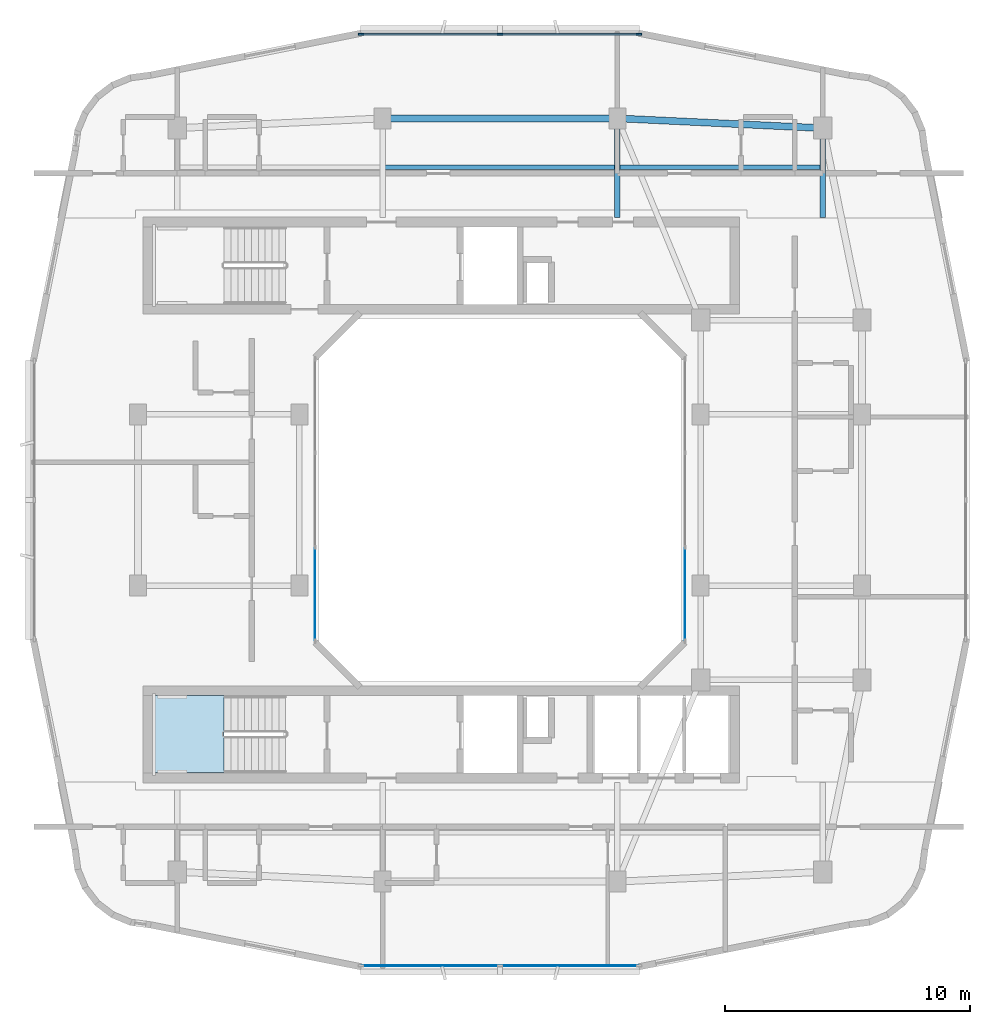
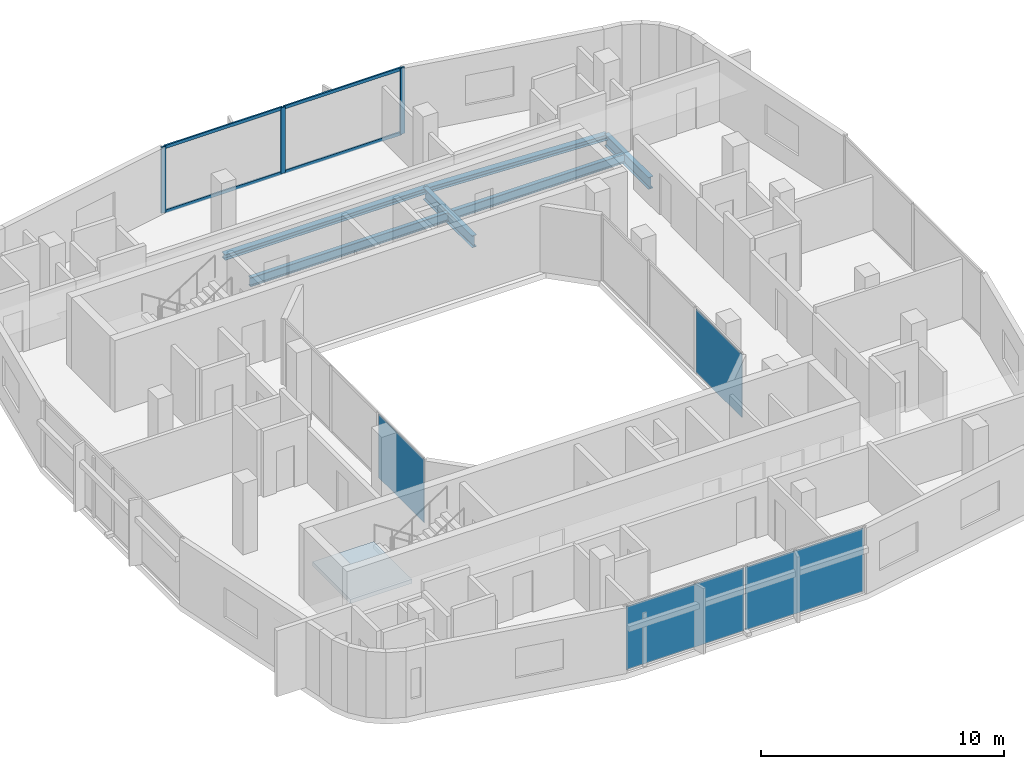
# One storey, part 5 of 14: 7 members, 6 beams, 4 plates, 1 slab, 5 elements without a shape of their own.
"""IFC4 building model written with IfcOpenShell, lengths in metres."""

from ifc_helpers import new_model, si_unit, derived_unit, direction, frame, origin, origin_2d, place, context, subcontext, project, spatial, polyline, rectangle, i_section, outline, extrude, material, layer, layer_set, material_profile, profile_set, type_object, element, aggregate, save


model = new_model("IFC4")

# Units and contexts
model_context = context("Model", 3, precision=1e-05, world=origin(), true_north=direction((0.0, 1.0)))
body_context = subcontext(model_context, "Body", "Model", "MODEL_VIEW")
ifc_project = project(units=[si_unit("LENGTHUNIT", "METRE"), si_unit("AREAUNIT", "SQUARE_METRE"), si_unit("VOLUMEUNIT", "CUBIC_METRE"), si_unit("PLANEANGLEUNIT", "RADIAN"), si_unit("MASSUNIT", "GRAM", prefix="KILO"), derived_unit("THERMALTRANSMITTANCEUNIT", [(si_unit("POWERUNIT", "WATT"), 1), (si_unit("LENGTHUNIT", "METRE"), -2), (si_unit("THERMODYNAMICTEMPERATUREUNIT", "KELVIN"), -1)])], contexts=[model_context])

# Site, building, storey
site_placement = place(None, origin())
site = spatial("IfcSite", under=ifc_project, at=site_placement, CompositionType="ELEMENT")
building_placement = place(site_placement, origin())
building = spatial("IfcBuilding", under=site, at=building_placement, Name="Kivonza Crest Hotel", CompositionType="ELEMENT")
storey_placement = place(building_placement, frame((0.0, 0.0, 206.300048828125)))
storey = spatial("IfcBuildingStorey", under=building, at=storey_placement, Name="L56", CompositionType="ELEMENT", Elevation=206.300048828125)

# Beams
ifc_material_1 = material(Name="Steel S355", Category="steel")
ifc_material_profile_1 = material_profile(ifc_material_1, i_section(OverallWidth=0.280029296875, OverallDepth=0.280029296875, WebThickness=0.010498046875, FlangeThickness=0.01806640625, FilletRadius=0.02392578125, at=origin_2d()), Name="HEB 280")
ifc_profile_set_1 = profile_set([ifc_material_profile_1], Name="Steel S355")
beam_type_1 = type_object("IfcBeamType", Name="BM-HEB280", PredefinedType="SPANDREL", material=ifc_profile_set_1)
beam_1_placement = place(storey_placement, frame((34.199951171875, 40.199951171875, -0.420166015625), z_axis=(-0.998867283688, 0.047583080799, 0.0), x_axis=(-0.047583080799, -0.998867283688, 0.0)))
element("IfcBeam", 1, at=beam_1_placement, inside=storey, type_object=beam_type_1, Name="Tower T1 L56 perimeter spandrel NE-N2", PredefinedType="SPANDREL", context=body_context, shape_type="SweptSolid", body=[
    extrude(i_section(OverallWidth=0.280029296875, OverallDepth=0.280029296875, WebThickness=0.010498046875, FlangeThickness=0.01806640625, FilletRadius=0.02392578125, at=origin_2d()), origin(), (0.0, 0.0, 1.0), 8.409423828125),
])
beam_2_placement = place(storey_placement, frame((25.800048828125, 40.60009765625, -0.420166015625), z_axis=(-1.0, 0.0, 0.0), x_axis=(0.0, -1.0, 0.0)))
element("IfcBeam", 2, at=beam_2_placement, inside=storey, type_object=beam_type_1, Name="Tower T1 L56 perimeter spandrel N2-N1", PredefinedType="SPANDREL", context=body_context, shape_type="SweptSolid", body=[
    extrude(i_section(OverallWidth=0.280029296875, OverallDepth=0.280029296875, WebThickness=0.010498046875, FlangeThickness=0.01806640625, FilletRadius=0.02392578125, at=origin_2d()), origin(), (0.0, 0.0, 1.0), 9.60009765625),
])
ifc_material_profile_2 = material_profile(ifc_material_1, i_section(OverallWidth=0.18994140625, OverallDepth=0.449951171875, WebThickness=0.009521484375, FlangeThickness=0.0146484375, FilletRadius=0.02099609375, at=origin_2d()), Name="IPE 450")
ifc_profile_set_2 = profile_set([ifc_material_profile_2], Name="Steel S355")
beam_type_2 = type_object("IfcBeamType", Name="BM-IPE450", PredefinedType="JOIST", material=ifc_profile_set_2)
beam_3_placement = place(storey_placement, frame((16.280029296875, 38.60009765625, -0.505126953125), z_axis=(1.0, 0.0, 0.0), x_axis=(0.0, 1.0, 0.0)))
element("IfcBeam", 3, at=beam_3_placement, inside=storey, type_object=beam_type_2, Name="Tower T1 L56 North-Mid floor joist", PredefinedType="JOIST", context=body_context, shape_type="SweptSolid", body=[
    extrude(i_section(OverallWidth=0.18994140625, OverallDepth=0.449951171875, WebThickness=0.009521484375, FlangeThickness=0.0146484375, FilletRadius=0.02099609375, at=origin_2d()), origin(), (0.0, 0.0, 1.0), 9.43994140625),
])
beam_4_placement = place(storey_placement, frame((25.8798828125, 38.60009765625, -0.505126953125), z_axis=(1.0, 0.0, 0.0), x_axis=(0.0, 1.0, 0.0)))
element("IfcBeam", 4, at=beam_4_placement, inside=storey, type_object=beam_type_2, Name="Tower T1 L56 North-East floor joist", PredefinedType="JOIST", context=body_context, shape_type="SweptSolid", body=[
    extrude(i_section(OverallWidth=0.18994140625, OverallDepth=0.449951171875, WebThickness=0.009521484375, FlangeThickness=0.0146484375, FilletRadius=0.02099609375, at=origin_2d()), origin(), (0.0, 0.0, 1.0), 8.240234375),
])
ifc_material_profile_3 = material_profile(ifc_material_1, i_section(OverallWidth=0.219970703125, OverallDepth=0.60009765625, WebThickness=0.011962890625, FlangeThickness=0.01904296875, FilletRadius=0.02392578125, at=origin_2d()), Name="IPE 600")
ifc_profile_set_3 = profile_set([ifc_material_profile_3], Name="Steel S355")
beam_type_3 = type_object("IfcBeamType", Name="BM-IPE600", PredefinedType="BEAM", material=ifc_profile_set_3)
beam_5_placement = place(storey_placement, frame((25.800048828125, 40.60009765625, -0.580078125), z_axis=(0.0, -1.0, 0.0), x_axis=(1.0, 0.0, 0.0)))
element("IfcBeam", 5, at=beam_5_placement, inside=storey, type_object=beam_type_3, Name="Tower T1 L56 radial core girder RN2", PredefinedType="BEAM", context=body_context, shape_type="SweptSolid", body=[
    extrude(i_section(OverallWidth=0.219970703125, OverallDepth=0.60009765625, WebThickness=0.011962890625, FlangeThickness=0.01904296875, FilletRadius=0.02392578125, at=origin_2d()), origin(), (0.0, 0.0, 1.0), 4.050048828125),
])
beam_6_placement = place(storey_placement, frame((34.199951171875, 40.199951171875, -0.580078125), z_axis=(0.0, -1.0, 0.0), x_axis=(1.0, 0.0, 0.0)))
element("IfcBeam", 6, at=beam_6_placement, inside=storey, type_object=beam_type_3, Name="Tower T1 L56 radial core girder RNE", PredefinedType="BEAM", context=body_context, shape_type="SweptSolid", body=[
    extrude(i_section(OverallWidth=0.219970703125, OverallDepth=0.60009765625, WebThickness=0.011962890625, FlangeThickness=0.01904296875, FilletRadius=0.02392578125, at=origin_2d()), origin(), (0.0, 0.0, 1.0), 3.64990234375),
])

# Curtain wall, members
ifc_material_2 = material(Name="Anodised bronze aluminium and low-E double glazing", Category="aluminium")
ifc_layer_1 = layer(ifc_material_2, 0.179931640625)
ifc_layer_set_1 = layer_set([ifc_layer_1], Name="Anodised bronze aluminium and low-E double glazing")
curtain_wall_type_1 = type_object("IfcCurtainWallType", Name="CW-SYS-3", PredefinedType="NOTDEFINED", material=ifc_layer_set_1)
curtain_wall_1_placement = place(storey_placement, origin())
curtain_wall_1 = element("IfcCurtainWall", 7, at=curtain_wall_1_placement, inside=storey, type_object=curtain_wall_type_1, Name="L56 unitised curtain wall CW-T1-L56-26", PredefinedType="NOTDEFINED")
ifc_material_3 = material(Name="Anodised bronze aluminium", Category="aluminium")
ifc_material_profile_4 = material_profile(ifc_material_3, rectangle(XDim=0.074951171875, YDim=0.219970703125, at=origin_2d()), Name="CW-M 75x220")
ifc_profile_set_4 = profile_set([ifc_material_profile_4], Name="Anodised bronze aluminium")
member_type_1 = type_object("IfcMemberType", Name="CW-MUL-75x220", PredefinedType="MULLION", material=ifc_profile_set_4)
member_1_placement = place(storey_placement, frame((26.6826171875, 44.0400390625, 0.0), z_axis=(0.0, 0.0, 1.0), x_axis=(0.0, -1.0, 0.0)))
member_1 = element("IfcMember", 8, at=member_1_placement, type_object=member_type_1, Name="CW-3 mullion 1", PredefinedType="MULLION", context=body_context, shape_type="SweptSolid", body=[
    extrude(rectangle(XDim=0.074951171875, YDim=0.219970703125, at=origin_2d()), origin(), (0.0, 0.0, 1.0), 3.320068359375),
])
member_2_placement = place(storey_placement, frame((21.0, 44.0400390625, 0.0), z_axis=(0.0, 0.0, 1.0), x_axis=(0.0, -1.0, 0.0)))
member_2 = element("IfcMember", 9, at=member_2_placement, type_object=member_type_1, Name="CW-3 mullion 2", PredefinedType="MULLION", context=body_context, shape_type="SweptSolid", body=[
    extrude(rectangle(XDim=0.074951171875, YDim=0.219970703125, at=origin_2d()), origin(), (0.0, 0.0, 1.0), 3.320068359375),
])
member_3_placement = place(storey_placement, frame((15.3173828125, 44.0400390625, 0.0), z_axis=(0.0, 0.0, 1.0), x_axis=(0.0, -1.0, 0.0)))
member_3 = element("IfcMember", 10, at=member_3_placement, type_object=member_type_1, Name="CW-3 mullion 3", PredefinedType="MULLION", context=body_context, shape_type="SweptSolid", body=[
    extrude(rectangle(XDim=0.074951171875, YDim=0.219970703125, at=origin_2d()), origin(), (0.0, 0.0, 1.0), 3.320068359375),
])
ifc_material_profile_5 = material_profile(ifc_material_3, rectangle(XDim=0.074951171875, YDim=0.159912109375, at=origin_2d()), Name="CW-T 75x160")
ifc_profile_set_5 = profile_set([ifc_material_profile_5], Name="Anodised bronze aluminium")
member_type_2 = type_object("IfcMemberType", Name="CW-TRN-75x160", PredefinedType="USERDEFINED", material=ifc_profile_set_5)
member_4_placement = place(storey_placement, frame((26.64501953125, 44.0400390625, 0.037353515625), z_axis=(-1.0, 0.0, 0.0), x_axis=(0.0, -1.0, 0.0)))
member_4 = element("IfcMember", 11, at=member_4_placement, type_object=member_type_2, Name="CW-3 transom 1.1", ObjectType="TRANSOM", PredefinedType="USERDEFINED", context=body_context, shape_type="SweptSolid", body=[
    extrude(rectangle(XDim=0.074951171875, YDim=0.159912109375, at=origin_2d()), origin(), (0.0, 0.0, 1.0), 5.607421875),
])
member_5_placement = place(storey_placement, frame((26.64501953125, 44.0400390625, 3.282470703125), z_axis=(-1.0, 0.0, 0.0), x_axis=(0.0, -1.0, 0.0)))
member_5 = element("IfcMember", 12, at=member_5_placement, type_object=member_type_2, Name="CW-3 transom 1.2", ObjectType="TRANSOM", PredefinedType="USERDEFINED", context=body_context, shape_type="SweptSolid", body=[
    extrude(rectangle(XDim=0.074951171875, YDim=0.159912109375, at=origin_2d()), origin(), (0.0, 0.0, 1.0), 5.607421875),
])
member_6_placement = place(storey_placement, frame((20.96240234375, 44.0400390625, 0.037353515625), z_axis=(-1.0, 0.0, 0.0), x_axis=(0.0, -1.0, 0.0)))
member_6 = element("IfcMember", 13, at=member_6_placement, type_object=member_type_2, Name="CW-3 transom 2.1", ObjectType="TRANSOM", PredefinedType="USERDEFINED", context=body_context, shape_type="SweptSolid", body=[
    extrude(rectangle(XDim=0.074951171875, YDim=0.159912109375, at=origin_2d()), origin(), (0.0, 0.0, 1.0), 5.607421875),
])
member_7_placement = place(storey_placement, frame((20.96240234375, 44.0400390625, 3.282470703125), z_axis=(-1.0, 0.0, 0.0), x_axis=(0.0, -1.0, 0.0)))
member_7 = element("IfcMember", 14, at=member_7_placement, type_object=member_type_2, Name="CW-3 transom 2.2", ObjectType="TRANSOM", PredefinedType="USERDEFINED", context=body_context, shape_type="SweptSolid", body=[
    extrude(rectangle(XDim=0.074951171875, YDim=0.159912109375, at=origin_2d()), origin(), (0.0, 0.0, 1.0), 5.607421875),
])
aggregate(curtain_wall_1, [member_1, member_2, member_3, member_4, member_5, member_6, member_7])

# Curtain wall, plate
ifc_layer_2 = layer(ifc_material_2, 0.159912109375)
ifc_layer_set_2 = layer_set([ifc_layer_2], Name="Anodised bronze aluminium and low-E double glazing")
curtain_wall_type_2 = type_object("IfcCurtainWallType", Name="CW-SYS-5", PredefinedType="NOTDEFINED", material=ifc_layer_set_2)
curtain_wall_2_placement = place(storey_placement, origin())
curtain_wall_2 = element("IfcCurtainWall", 15, at=curtain_wall_2_placement, inside=storey, type_object=curtain_wall_type_2, Name="L56 unitised curtain wall CW-WELL-T1-L56-3", PredefinedType="NOTDEFINED")
ifc_material_4 = material(Name="Solar-control low-E double glazing", Category="glass")
ifc_layer_3 = layer(ifc_material_4, 0.028076171875)
ifc_layer_set_3 = layer_set([ifc_layer_3], Name="Solar-control low-E double glazing")
plate_type_1 = type_object("IfcPlateType", Name="CW-PNL-28", PredefinedType="CURTAIN_PANEL", material=ifc_layer_set_3)
plate_1_placement = place(storey_placement, frame((28.56005859375, 21.149658203125, 0.06494140625), z_axis=(0.0, 0.0, 1.0), x_axis=(0.0, 1.0, 0.0)))
plate_1 = element("IfcPlate", 16, at=plate_1_placement, type_object=plate_type_1, Name="CW-5 panel 1.1", PredefinedType="CURTAIN_PANEL", context=body_context, shape_type="SweptSolid", body=[
    extrude(rectangle(XDim=3.769287109375, YDim=0.028076171875, at=origin_2d()), origin(), (0.0, 0.0, 1.0), 3.18994140625),
])
aggregate(curtain_wall_2, [plate_1])

curtain_wall_3_placement = place(storey_placement, origin())
curtain_wall_3 = element("IfcCurtainWall", 17, at=curtain_wall_3_placement, inside=storey, type_object=curtain_wall_type_2, Name="L56 unitised curtain wall CW-WELL-T1-L56-7", PredefinedType="NOTDEFINED")
plate_2_placement = place(storey_placement, frame((13.43994140625, 21.149658203125, 0.06494140625), z_axis=(0.0, 0.0, 1.0), x_axis=(0.0, -1.0, 0.0)))
plate_2 = element("IfcPlate", 18, at=plate_2_placement, type_object=plate_type_1, Name="CW-5 panel 3.1", PredefinedType="CURTAIN_PANEL", context=body_context, shape_type="SweptSolid", body=[
    extrude(rectangle(XDim=3.769287109375, YDim=0.028076171875, at=origin_2d()), origin(), (0.0, 0.0, 1.0), 3.18994140625),
])
aggregate(curtain_wall_3, [plate_2])

# Curtain wall, plates
curtain_wall_4_placement = place(storey_placement, origin())
curtain_wall_4 = element("IfcCurtainWall", 19, at=curtain_wall_4_placement, inside=storey, type_object=curtain_wall_type_1, Name="L56 unitised curtain wall CW-T1-L56-08", PredefinedType="NOTDEFINED")
ifc_material_5 = material(Name="Acoustic triple-laminated low-E glazing", Category="glass")
ifc_layer_4 = layer(ifc_material_5, 0.035888671875)
ifc_layer_set_4 = layer_set([ifc_layer_4], Name="Acoustic triple-laminated low-E glazing")
plate_type_2 = type_object("IfcPlateType", Name="CW-PNL-36", PredefinedType="CURTAIN_PANEL", material=ifc_layer_set_4)
plate_3_placement = place(storey_placement, frame((18.15869140625, 5.9599609375, 0.074951171875), z_axis=(0.0, 0.0, 1.0), x_axis=(1.0, 0.0, 0.0)))
plate_3 = element("IfcPlate", 20, at=plate_3_placement, type_object=plate_type_2, Name="CW-3 panel 1.1", PredefinedType="CURTAIN_PANEL", context=body_context, shape_type="SweptSolid", body=[
    extrude(rectangle(XDim=5.607421875, YDim=0.035888671875, at=origin_2d()), origin(), (0.0, 0.0, 1.0), 3.169921875),
])
plate_4_placement = place(storey_placement, frame((23.84130859375, 5.9599609375, 0.074951171875), z_axis=(0.0, 0.0, 1.0), x_axis=(1.0, 0.0, 0.0)))
plate_4 = element("IfcPlate", 21, at=plate_4_placement, type_object=plate_type_2, Name="CW-3 panel 2.1", PredefinedType="CURTAIN_PANEL", context=body_context, shape_type="SweptSolid", body=[
    extrude(rectangle(XDim=5.607421875, YDim=0.035888671875, at=origin_2d()), origin(), (0.0, 0.0, 1.0), 3.169921875),
])
aggregate(curtain_wall_4, [plate_3, plate_4])

# Stair, slab
ifc_material_6 = material(Name="Concrete C40/50", Category="concrete")
stair_type = type_object("IfcStairType", Name="ST-DL-20R", PredefinedType="HALF_TURN_STAIR", material=ifc_material_6)
stair_placement = place(storey_placement, origin())
stair = element("IfcStair", 22, at=stair_placement, inside=storey, type_object=stair_type, Name="L56 Protected Exit Stair ST-T1-S", PredefinedType="HALF_TURN_STAIR")
ifc_layer_5 = layer(ifc_material_6, 0.199951171875)
ifc_layer_set_5 = layer_set([ifc_layer_5], Name="Concrete C40/50")
slab_type = type_object("IfcSlabType", Name="SL-LAND-200", PredefinedType="LANDING", material=ifc_layer_set_5)
slab_placement = place(storey_placement, frame((0.0, 0.0, 1.599853515625)))
slab = element("IfcSlab", 23, at=slab_placement, type_object=slab_type, Name="ST-T1-S landing 1", PredefinedType="LANDING", context=body_context, shape_type="SweptSolid", body=[
    extrude(outline(polyline([(9.719970703125, 17.0), (6.800048828125, 17.0), (6.800048828125, 13.860107421875), (9.719970703125, 13.860107421875), (9.719970703125, 17.0)])), origin(), (0.0, 0.0, 1.0), 0.2001953125),
])
aggregate(stair, [slab])

save(model, "model.ifc")
